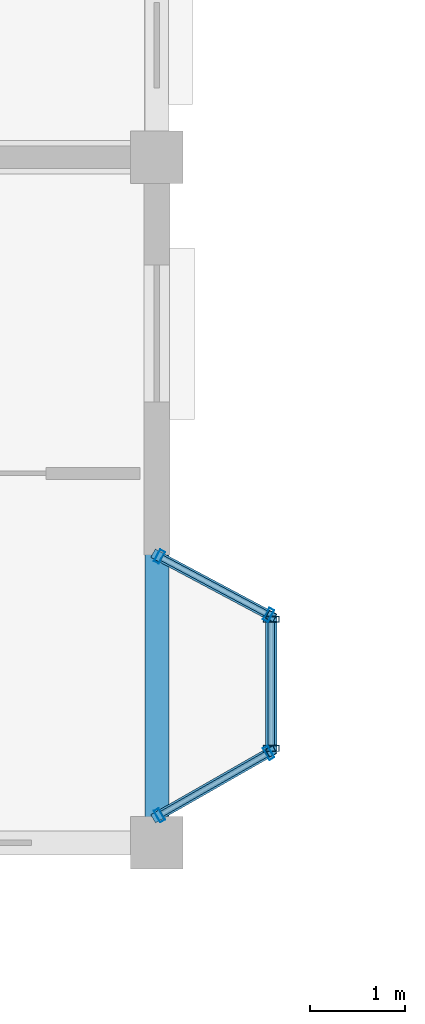
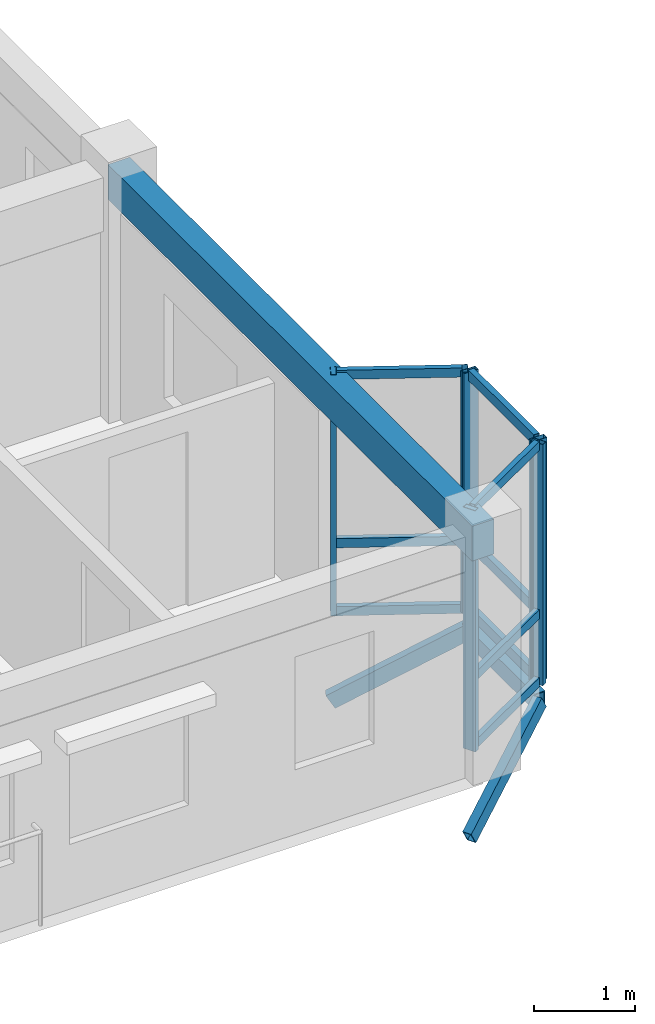
# One storey, part 15 of 79: 18 members, 1 beam, 3 elements without a shape of their own.
"""IFC4 building model written with IfcOpenShell, lengths in metres."""

from ifc_helpers import new_model, si_unit, direction, frame, origin, origin_2d, place, context, subcontext, project, spatial, rectangle, hollow_rectangle, extrude, material, layer, layer_set, material_profile, profile_set, type_object, element, aggregate, save


model = new_model("IFC4")

# Units and contexts
model_context = context("Model", 3, precision=1e-05, world=origin(), true_north=direction((0.0, 1.0)))
body_context = subcontext(model_context, "Body", "Model", "MODEL_VIEW")
ifc_project = project(units=[si_unit("LENGTHUNIT", "METRE"), si_unit("AREAUNIT", "SQUARE_METRE"), si_unit("VOLUMEUNIT", "CUBIC_METRE"), si_unit("PLANEANGLEUNIT", "RADIAN"), si_unit("MASSUNIT", "GRAM", prefix="KILO"), si_unit("THERMODYNAMICTEMPERATUREUNIT", "KELVIN"), si_unit("POWERUNIT", "WATT")], contexts=[model_context])

# Site, building, storey
site_placement = place(None, origin())
site = spatial("IfcSite", under=ifc_project, at=site_placement, CompositionType="ELEMENT")
building_placement = place(site_placement, origin())
building = spatial("IfcBuilding", under=site, at=building_placement, Name="Tavuni Mirador Residences", CompositionType="ELEMENT")
storey_placement = place(building_placement, frame((0.0, 0.0, 13.949951171875)))
storey = spatial("IfcBuildingStorey", under=building, at=storey_placement, Name="L04", CompositionType="ELEMENT", Elevation=13.949951171875)

# Beam
ifc_material_1 = material(Name="Precast concrete C40/50", Category="concrete")
ifc_material_profile_1 = material_profile(ifc_material_1, rectangle(XDim=0.25, YDim=0.419921875, at=origin_2d()), Name="PC 250x420", Category="concrete")
ifc_profile_set_1 = profile_set([ifc_material_profile_1], Name="Precast concrete C40/50")
beam_type = type_object("IfcBeamType", Name="BT-SP420", PredefinedType="SPANDREL", material=ifc_profile_set_1)
beam_placement = place(storey_placement, frame((25.199951171875, 64.800048828125, 2.699951171875), z_axis=(0.0, 1.0, 0.0), x_axis=(-1.0, 0.0, 0.0)))
element("IfcBeam", 1, at=beam_placement, inside=storey, type_object=beam_type, Name="BMY-BLK-B-L04-03-00", PredefinedType="SPANDREL", context=body_context, shape_type="SweptSolid", body=[
    extrude(rectangle(XDim=0.25, YDim=0.419921875, at=origin_2d()), origin(), (0.0, 0.0, 1.0), 7.199951171875),
])

# Curtain wall, members
ifc_material_2 = material(Name="Anodised aluminium", Category="aluminium")
ifc_layer_1 = layer(ifc_material_2, 0.1650390625, Name="Anodised aluminium", Category="aluminium")
ifc_layer_set_1 = layer_set([ifc_layer_1], Name="Anodised aluminium")
curtain_wall_type_1 = type_object("IfcCurtainWallType", Name="CWT-MIR-A", PredefinedType="NOTDEFINED", material=ifc_layer_set_1)
curtain_wall_1_placement = place(storey_placement, origin())
curtain_wall_1 = element("IfcCurtainWall", 2, at=curtain_wall_1_placement, inside=storey, type_object=curtain_wall_type_1, Name="CW-MIR-B-E1-L04-M1", PredefinedType="NOTDEFINED")
ifc_material_profile_2 = material_profile(ifc_material_2, hollow_rectangle(XDim=0.06005859375, YDim=0.139892578125, WallThickness=0.00390625, at=origin_2d()), Name="ALU 60x140x4.0", Category="aluminium")
ifc_profile_set_2 = profile_set([ifc_material_profile_2], Name="Anodised aluminium")
member_type_1 = type_object("IfcMemberType", Name="CWM-140", PredefinedType="MULLION", material=ifc_profile_set_2)
member_1_placement = place(storey_placement, frame((25.22607421875, 65.08984375, 0.0), z_axis=(0.0, 0.0, 1.0), x_axis=(0.868465738194, 0.495749192217, 0.0)))
member_1 = element("IfcMember", 3, at=member_1_placement, type_object=member_type_1, Name="CW-01 mullion 1", PredefinedType="MULLION", context=body_context, shape_type="SweptSolid", body=[
    extrude(hollow_rectangle(XDim=0.06005859375, YDim=0.139892578125, WallThickness=0.00390625, at=origin_2d()), origin(), (0.0, 0.0, 1.0), 2.91015625),
])
member_2_placement = place(storey_placement, frame((26.3740234375, 65.7451171875, 0.0), z_axis=(0.0, 0.0, 1.0), x_axis=(0.868465738194, 0.495749192217, 0.0)))
member_2 = element("IfcMember", 4, at=member_2_placement, type_object=member_type_1, Name="CW-01 mullion 2", PredefinedType="MULLION", context=body_context, shape_type="SweptSolid", body=[
    extrude(hollow_rectangle(XDim=0.06005859375, YDim=0.139892578125, WallThickness=0.00390625, at=origin_2d()), origin(), (0.0, 0.0, 1.0), 2.91015625),
])

ifc_layer_2 = layer(ifc_material_2, 0.175048828125, Name="Anodised aluminium", Category="aluminium")
ifc_layer_set_2 = layer_set([ifc_layer_2], Name="Anodised aluminium")
curtain_wall_type_2 = type_object("IfcCurtainWallType", Name="CWT-MIR-C", PredefinedType="NOTDEFINED", material=ifc_layer_set_2)
curtain_wall_2_placement = place(storey_placement, origin())
curtain_wall_2 = element("IfcCurtainWall", 5, at=curtain_wall_2_placement, inside=storey, type_object=curtain_wall_type_2, Name="CW-MIR-B-E1-L04-M2", PredefinedType="NOTDEFINED")
member_3_placement = place(storey_placement, frame((26.37353515625, 67.194091796875, 0.0), z_axis=(0.0, 0.0, 1.0), x_axis=(-0.882352941175, 0.470588235296, 0.0)))
member_3 = element("IfcMember", 6, at=member_3_placement, type_object=member_type_1, Name="CW-03 mullion 1", PredefinedType="MULLION", context=body_context, shape_type="SweptSolid", body=[
    extrude(hollow_rectangle(XDim=0.06005859375, YDim=0.139892578125, WallThickness=0.00390625, at=origin_2d()), origin(), (0.0, 0.0, 1.0), 2.91015625),
])
member_4_placement = place(storey_placement, frame((25.2265625, 67.805908203125, 0.0), z_axis=(0.0, 0.0, 1.0), x_axis=(-0.882352941175, 0.470588235296, 0.0)))
member_4 = element("IfcMember", 7, at=member_4_placement, type_object=member_type_1, Name="CW-03 mullion 2", PredefinedType="MULLION", context=body_context, shape_type="SweptSolid", body=[
    extrude(hollow_rectangle(XDim=0.06005859375, YDim=0.139892578125, WallThickness=0.00390625, at=origin_2d()), origin(), (0.0, 0.0, 1.0), 2.91015625),
])

ifc_layer_3 = layer(ifc_material_2, 0.14990234375, Name="Anodised aluminium", Category="aluminium")
ifc_layer_set_3 = layer_set([ifc_layer_3], Name="Anodised aluminium")
curtain_wall_type_3 = type_object("IfcCurtainWallType", Name="CWT-MIR-B", PredefinedType="NOTDEFINED", material=ifc_layer_set_3)
curtain_wall_3_placement = place(storey_placement, origin())
curtain_wall_3 = element("IfcCurtainWall", 8, at=curtain_wall_3_placement, inside=storey, type_object=curtain_wall_type_3, Name="CW-MIR-B-E1-L04-MF", PredefinedType="NOTDEFINED")
ifc_material_profile_3 = material_profile(ifc_material_2, hollow_rectangle(XDim=0.06494140625, YDim=0.1650390625, WallThickness=0.00439453125, at=origin_2d()), Name="ALU 65x165x4.5", Category="aluminium")
ifc_profile_set_3 = profile_set([ifc_material_profile_3], Name="Anodised aluminium")
member_type_2 = type_object("IfcMemberType", Name="CWM-165", PredefinedType="MULLION", material=ifc_profile_set_3)
member_5_placement = place(storey_placement, frame((26.39990234375, 65.79248046875, 0.0), z_axis=(0.0, 0.0, 1.0), x_axis=(0.0, 1.0, 0.0)))
member_5 = element("IfcMember", 9, at=member_5_placement, type_object=member_type_2, Name="CW-02 mullion 1", PredefinedType="MULLION", context=body_context, shape_type="SweptSolid", body=[
    extrude(hollow_rectangle(XDim=0.06494140625, YDim=0.1650390625, WallThickness=0.00439453125, at=origin_2d()), origin(), (0.0, 0.0, 1.0), 2.91015625),
])
member_6_placement = place(storey_placement, frame((26.39990234375, 67.1474609375, 0.0), z_axis=(0.0, 0.0, 1.0), x_axis=(0.0, 1.0, 0.0)))
member_6 = element("IfcMember", 10, at=member_6_placement, type_object=member_type_2, Name="CW-02 mullion 2", PredefinedType="MULLION", context=body_context, shape_type="SweptSolid", body=[
    extrude(hollow_rectangle(XDim=0.06494140625, YDim=0.1650390625, WallThickness=0.00439453125, at=origin_2d()), origin(), (0.0, 0.0, 1.0), 2.91015625),
])

# Member
ifc_material_profile_4 = material_profile(ifc_material_2, hollow_rectangle(XDim=0.06005859375, YDim=0.110107421875, WallThickness=0.00390625, at=origin_2d()), Name="ALU 60x110x4.0", Category="aluminium")
ifc_profile_set_4 = profile_set([ifc_material_profile_4], Name="Anodised aluminium")
member_type_3 = type_object("IfcMemberType", Name="CWT-110", PredefinedType="USERDEFINED", material=ifc_profile_set_4)
member_7_placement = place(storey_placement, frame((25.252197265625, 65.104736328125, 0.030029296875), z_axis=(0.868457406816, 0.495763787046, 0.0), x_axis=(-0.495763787046, 0.868457406816, 0.0)))
member_7 = element("IfcMember", 11, at=member_7_placement, type_object=member_type_3, Name="CW-01 transom 1.1", ObjectType="TRANSOM", PredefinedType="USERDEFINED", context=body_context, shape_type="SweptSolid", body=[
    extrude(hollow_rectangle(XDim=0.06005859375, YDim=0.110107421875, WallThickness=0.00390625, at=origin_2d()), origin(), (0.0, 0.0, 1.0), 1.26171875),
])

member_8_placement = place(storey_placement, frame((25.252197265625, 65.104736328125, 0.85009765625), z_axis=(0.868457406816, 0.495763787046, 0.0), x_axis=(-0.495763787046, 0.868457406816, 0.0)))
member_8 = element("IfcMember", 12, at=member_8_placement, type_object=member_type_3, Name="CW-01 transom 1.2", ObjectType="TRANSOM", PredefinedType="USERDEFINED", context=body_context, shape_type="SweptSolid", body=[
    extrude(hollow_rectangle(XDim=0.06005859375, YDim=0.110107421875, WallThickness=0.00390625, at=origin_2d()), origin(), (0.0, 0.0, 1.0), 1.26171875),
])

member_9_placement = place(storey_placement, frame((25.252197265625, 65.104736328125, 2.880126953125), z_axis=(0.868457406816, 0.495763787046, 0.0), x_axis=(-0.495763787046, 0.868457406816, 0.0)))
member_9 = element("IfcMember", 13, at=member_9_placement, type_object=member_type_3, Name="CW-01 transom 1.3", ObjectType="TRANSOM", PredefinedType="USERDEFINED", context=body_context, shape_type="SweptSolid", body=[
    extrude(hollow_rectangle(XDim=0.06005859375, YDim=0.110107421875, WallThickness=0.00390625, at=origin_2d()), origin(), (0.0, 0.0, 1.0), 1.26171875),
])

aggregate(curtain_wall_1, [member_1, member_2, member_7, member_8, member_9])

member_10_placement = place(storey_placement, frame((26.34716796875, 67.208251953125, 0.030029296875), z_axis=(-0.882385637708, 0.470526924168, 0.0), x_axis=(-0.470526924168, -0.882385637708, 0.0)))
member_10 = element("IfcMember", 14, at=member_10_placement, type_object=member_type_3, Name="CW-03 transom 1.1", ObjectType="TRANSOM", PredefinedType="USERDEFINED", context=body_context, shape_type="SweptSolid", body=[
    extrude(hollow_rectangle(XDim=0.06005859375, YDim=0.110107421875, WallThickness=0.00390625, at=origin_2d()), origin(), (0.0, 0.0, 1.0), 1.239990234375),
])

member_11_placement = place(storey_placement, frame((26.34716796875, 67.208251953125, 0.85009765625), z_axis=(-0.882385637708, 0.470526924168, 0.0), x_axis=(-0.470526924168, -0.882385637708, 0.0)))
member_11 = element("IfcMember", 15, at=member_11_placement, type_object=member_type_3, Name="CW-03 transom 1.2", ObjectType="TRANSOM", PredefinedType="USERDEFINED", context=body_context, shape_type="SweptSolid", body=[
    extrude(hollow_rectangle(XDim=0.06005859375, YDim=0.110107421875, WallThickness=0.00390625, at=origin_2d()), origin(), (0.0, 0.0, 1.0), 1.239990234375),
])

member_12_placement = place(storey_placement, frame((26.34716796875, 67.208251953125, 2.880126953125), z_axis=(-0.882385637708, 0.470526924168, 0.0), x_axis=(-0.470526924168, -0.882385637708, 0.0)))
member_12 = element("IfcMember", 16, at=member_12_placement, type_object=member_type_3, Name="CW-03 transom 1.3", ObjectType="TRANSOM", PredefinedType="USERDEFINED", context=body_context, shape_type="SweptSolid", body=[
    extrude(hollow_rectangle(XDim=0.06005859375, YDim=0.110107421875, WallThickness=0.00390625, at=origin_2d()), origin(), (0.0, 0.0, 1.0), 1.239990234375),
])

aggregate(curtain_wall_2, [member_3, member_4, member_10, member_11, member_12])

ifc_material_profile_5 = material_profile(ifc_material_2, hollow_rectangle(XDim=0.06494140625, YDim=0.125, WallThickness=0.00439453125, at=origin_2d()), Name="ALU 65x125x4.5", Category="aluminium")
ifc_profile_set_5 = profile_set([ifc_material_profile_5], Name="Anodised aluminium")
member_type_4 = type_object("IfcMemberType", Name="CWT-125", PredefinedType="USERDEFINED", material=ifc_profile_set_5)
member_13_placement = place(storey_placement, frame((26.39990234375, 65.824951171875, 0.032470703125), z_axis=(0.0, 1.0, 0.0), x_axis=(-1.0, 0.0, 0.0)))
member_13 = element("IfcMember", 17, at=member_13_placement, type_object=member_type_4, Name="CW-02 transom 1.1", ObjectType="TRANSOM", PredefinedType="USERDEFINED", context=body_context, shape_type="SweptSolid", body=[
    extrude(hollow_rectangle(XDim=0.06494140625, YDim=0.125, WallThickness=0.00439453125, at=origin_2d()), origin(), (0.0, 0.0, 1.0), 1.2900390625),
])

member_14_placement = place(storey_placement, frame((26.39990234375, 65.824951171875, 0.85009765625), z_axis=(0.0, 1.0, 0.0), x_axis=(-1.0, 0.0, 0.0)))
member_14 = element("IfcMember", 18, at=member_14_placement, type_object=member_type_4, Name="CW-02 transom 1.2", ObjectType="TRANSOM", PredefinedType="USERDEFINED", context=body_context, shape_type="SweptSolid", body=[
    extrude(hollow_rectangle(XDim=0.06494140625, YDim=0.125, WallThickness=0.00439453125, at=origin_2d()), origin(), (0.0, 0.0, 1.0), 1.2900390625),
])

member_15_placement = place(storey_placement, frame((26.39990234375, 65.824951171875, 2.87744140625), z_axis=(0.0, 1.0, 0.0), x_axis=(-1.0, 0.0, 0.0)))
member_15 = element("IfcMember", 19, at=member_15_placement, type_object=member_type_4, Name="CW-02 transom 1.3", ObjectType="TRANSOM", PredefinedType="USERDEFINED", context=body_context, shape_type="SweptSolid", body=[
    extrude(hollow_rectangle(XDim=0.06494140625, YDim=0.125, WallThickness=0.00439453125, at=origin_2d()), origin(), (0.0, 0.0, 1.0), 1.2900390625),
])

aggregate(curtain_wall_3, [member_5, member_6, member_13, member_14, member_15])

# Members
ifc_material_3 = material(Name="Structural steel S355", Category="steel")
ifc_material_profile_6 = material_profile(ifc_material_3, hollow_rectangle(XDim=0.10009765625, YDim=0.179931640625, WallThickness=0.008056640625, at=origin_2d()), Name="RHS 180x100x8.0", Category="steel")
ifc_profile_set_6 = profile_set([ifc_material_profile_6], Name="Structural steel S355")
member_type_5 = type_object("IfcMemberType", Name="MT-BR-RHS180", PredefinedType="BRACE", material=ifc_profile_set_6)
member_16_placement = place(storey_placement, frame((25.199951171875, 65.074951171875, -1.050048828125), z_axis=(0.749182227944, 0.427712173268, 0.505755164256), x_axis=(-0.495796390047, 0.868438794398, 0.0)))
element("IfcMember", 20, at=member_16_placement, inside=storey, type_object=member_type_5, Name="MBRK-MIR-B-E1-L04-1", PredefinedType="BRACE", context=body_context, shape_type="SweptSolid", body=[
    extrude(hollow_rectangle(XDim=0.10009765625, YDim=0.179931640625, WallThickness=0.008056640625, at=origin_2d()), origin(), (0.0, 0.0, 1.0), 1.6015625),
])
member_17_placement = place(storey_placement, frame((25.199951171875, 67.820068359375, -1.050048828125), z_axis=(0.758028963388, -0.404384932249, 0.511727385661), x_axis=(0.470681405175, 0.882303244255, 0.0)))
element("IfcMember", 21, at=member_17_placement, inside=storey, type_object=member_type_5, Name="MBRK-MIR-B-E1-L04-2", PredefinedType="BRACE", context=body_context, shape_type="SweptSolid", body=[
    extrude(hollow_rectangle(XDim=0.10009765625, YDim=0.179931640625, WallThickness=0.008056640625, at=origin_2d()), origin(), (0.0, 0.0, 1.0), 1.5830078125),
])
ifc_material_profile_7 = material_profile(ifc_material_3, hollow_rectangle(XDim=0.1201171875, YDim=0.199951171875, WallThickness=0.010009765625, at=origin_2d()), Name="RHS 200x120x10.0", Category="steel")
ifc_profile_set_7 = profile_set([ifc_material_profile_7], Name="Structural steel S355")
member_type_6 = type_object("IfcMemberType", Name="MT-ST-RHS200", PredefinedType="STRUT", material=ifc_profile_set_7)
member_18_placement = place(storey_placement, frame((26.39990234375, 65.760009765625, -0.239990234375), z_axis=(0.0, 1.0, 0.0), x_axis=(-1.0, 0.0, 0.0)))
element("IfcMember", 22, at=member_18_placement, inside=storey, type_object=member_type_6, Name="MRIM-MIR-B-E1-L04", PredefinedType="STRUT", context=body_context, shape_type="SweptSolid", body=[
    extrude(hollow_rectangle(XDim=0.1201171875, YDim=0.199951171875, WallThickness=0.010009765625, at=origin_2d()), origin(), (0.0, 0.0, 1.0), 1.419921875),
])

save(model, "model.ifc")
